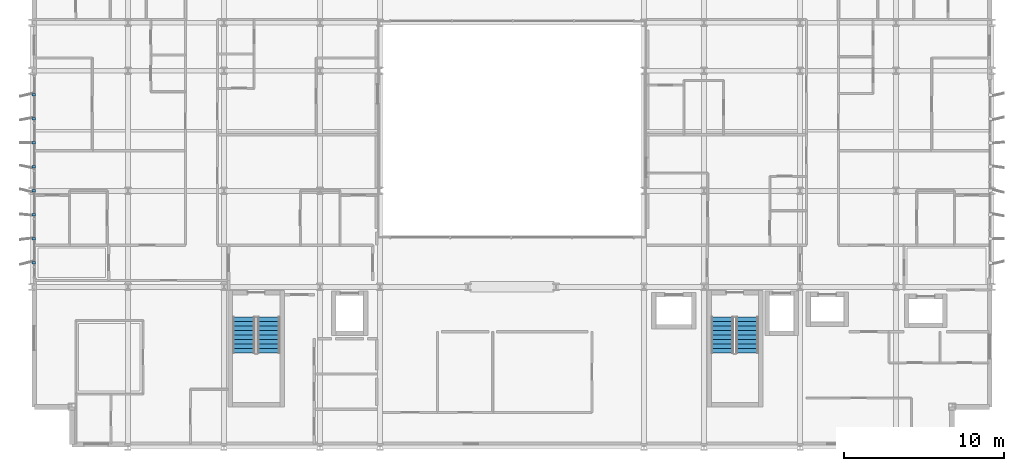
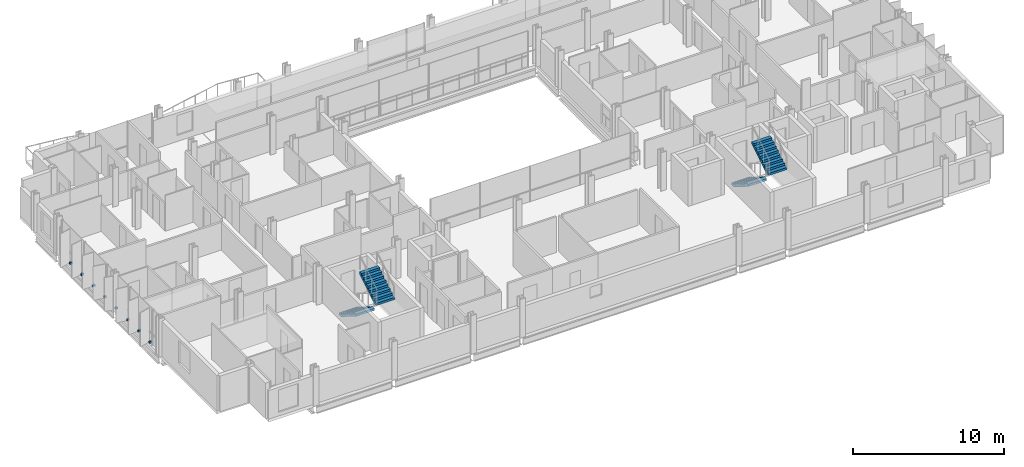
# One storey, part 33 of 38: 8 discrete accessories, 4 stair flights, 2 elements without a shape of their own.
"""IFC4 building model written with IfcOpenShell, lengths in metres."""

from ifc_helpers import new_model, si_unit, direction, frame, origin, origin_2d, place, context, subcontext, project, spatial, polyline, rectangle, outline, extrude, material, layer, layer_set, type_object, element, aggregate, save


model = new_model("IFC4")

# Units and contexts
model_context = context("Model", 3, precision=1e-05, world=origin(), true_north=direction((0.0, 1.0)))
body_context = subcontext(model_context, "Body", "Model", "MODEL_VIEW")
ifc_project = project(units=[si_unit("LENGTHUNIT", "METRE"), si_unit("AREAUNIT", "SQUARE_METRE"), si_unit("VOLUMEUNIT", "CUBIC_METRE"), si_unit("PLANEANGLEUNIT", "RADIAN"), si_unit("MASSUNIT", "GRAM", prefix="KILO")], contexts=[model_context])

# Site, building, storey
site_placement = place(None, origin())
site = spatial("IfcSite", under=ifc_project, at=site_placement, CompositionType="ELEMENT")
building_placement = place(site_placement, origin())
building = spatial("IfcBuilding", under=site, at=building_placement, Name="Brevholm Reach", CompositionType="ELEMENT")
storey_placement = place(building_placement, frame((0.0, 0.0, 52.800048828125)))
storey = spatial("IfcBuildingStorey", under=building, at=storey_placement, Name="L14", CompositionType="ELEMENT", Elevation=52.800048828125)

# Stair, stair flights
ifc_material_1 = material(Name="Precast Concrete C40/50", Category="concrete")
stair_type = type_object("IfcStairType", Name="STR-ESC-1400", PredefinedType="DOUBLE_RETURN_STAIR", material=ifc_material_1)
stair_1_placement = place(storey_placement, origin())
stair_1 = element("IfcStair", 1, at=stair_1_placement, inside=storey, type_object=stair_type, Name="L14 ST-1", PredefinedType="DOUBLE_RETURN_STAIR")
ifc_material_2 = material(Name="Precast Concrete C40/50", Category="concrete")
ifc_layer = layer(ifc_material_2, 0.18505859375)
ifc_layer_set = layer_set([ifc_layer], Name="Precast Concrete C40/50")
stair_flight_type = type_object("IfcStairFlightType", Name="STF-PRC-185", PredefinedType="STRAIGHT", material=ifc_layer_set)
stair_flight_1_placement = place(storey_placement, frame((13.25, 8.10009765625, 0.0), z_axis=(0.0, 0.0, 1.0), x_axis=(0.0, -1.0, 0.0)))
stair_flight_1 = element("IfcStairFlight", 2, at=stair_flight_1_placement, type_object=stair_flight_type, Name="ST-1 flight 1", NumberOfRisers=9, NumberOfTreads=8, PredefinedType="STRAIGHT", RiserHeight=0.172222222, TreadLength=0.28, context=body_context, shape_type="SweptSolid", body=[
    extrude(outline(polyline([(0.0, 0.0), (0.0, 0.172119140625), (0.280029296875, 0.172119140625), (0.280029296875, 0.344482421875), (0.56005859375, 0.344482421875), (0.56005859375, 0.5166015625), (0.840087890625, 0.5166015625), (0.840087890625, 0.68896484375), (1.1201171875, 0.68896484375), (1.1201171875, 0.861083984375), (1.39990234375, 0.861083984375), (1.39990234375, 1.033447265625), (1.679931640625, 1.033447265625), (1.679931640625, 1.20556640625), (1.9599609375, 1.20556640625), (1.9599609375, 1.377685546875), (2.239990234375, 1.377685546875), (2.239990234375, 1.550048828125), (2.239990234375, 1.201904296875), (0.2861328125, 0.0), (0.0, 0.0)])), frame((0.0, 0.699951171875, 0.0), z_axis=(0.0, -1.0, 0.0), x_axis=(1.0, 0.0, 0.0)), (0.0, 0.0, 1.0), 1.39990234375),
])
stair_flight_2_placement = place(storey_placement, frame((14.800048828125, 5.860107421875, 1.550048828125), z_axis=(0.0, 0.0, 1.0), x_axis=(0.0, 1.0, 0.0)))
stair_flight_2 = element("IfcStairFlight", 3, at=stair_flight_2_placement, type_object=stair_flight_type, Name="ST-1 flight 2", NumberOfRisers=9, NumberOfTreads=8, PredefinedType="STRAIGHT", RiserHeight=0.172222222, TreadLength=0.28, context=body_context, shape_type="SweptSolid", body=[
    extrude(outline(polyline([(0.0, 0.0), (0.0, 0.172119140625), (0.280029296875, 0.172119140625), (0.280029296875, 0.344482421875), (0.56005859375, 0.344482421875), (0.56005859375, 0.5166015625), (0.840087890625, 0.5166015625), (0.840087890625, 0.68896484375), (1.1201171875, 0.68896484375), (1.1201171875, 0.861083984375), (1.39990234375, 0.861083984375), (1.39990234375, 1.033447265625), (1.679931640625, 1.033447265625), (1.679931640625, 1.20556640625), (1.9599609375, 1.20556640625), (1.9599609375, 1.377685546875), (2.239990234375, 1.377685546875), (2.239990234375, 1.550048828125), (2.239990234375, 1.201904296875), (0.2861328125, 0.0), (0.0, 0.0)])), frame((0.0, 0.699951171875, 0.0), z_axis=(0.0, -1.0, 0.0), x_axis=(1.0, 0.0, 0.0)), (0.0, 0.0, 1.0), 1.39990234375),
])
aggregate(stair_1, [stair_flight_1, stair_flight_2])

stair_2_placement = place(storey_placement, origin())
stair_2 = element("IfcStair", 4, at=stair_2_placement, inside=storey, type_object=stair_type, Name="L14 ST-2", PredefinedType="DOUBLE_RETURN_STAIR")
stair_flight_3_placement = place(storey_placement, frame((43.14990234375, 8.10009765625, 0.0), z_axis=(0.0, 0.0, 1.0), x_axis=(0.0, -1.0, 0.0)))
stair_flight_3 = element("IfcStairFlight", 5, at=stair_flight_3_placement, type_object=stair_flight_type, Name="ST-2 flight 1", NumberOfRisers=9, NumberOfTreads=8, PredefinedType="STRAIGHT", RiserHeight=0.172222222, TreadLength=0.28, context=body_context, shape_type="SweptSolid", body=[
    extrude(outline(polyline([(0.0, 0.0), (0.0, 0.172119140625), (0.280029296875, 0.172119140625), (0.280029296875, 0.344482421875), (0.56005859375, 0.344482421875), (0.56005859375, 0.5166015625), (0.840087890625, 0.5166015625), (0.840087890625, 0.68896484375), (1.1201171875, 0.68896484375), (1.1201171875, 0.861083984375), (1.39990234375, 0.861083984375), (1.39990234375, 1.033447265625), (1.679931640625, 1.033447265625), (1.679931640625, 1.20556640625), (1.9599609375, 1.20556640625), (1.9599609375, 1.377685546875), (2.239990234375, 1.377685546875), (2.239990234375, 1.550048828125), (2.239990234375, 1.201904296875), (0.2861328125, 0.0), (0.0, 0.0)])), frame((0.0, 0.699951171875, 0.0), z_axis=(0.0, -1.0, 0.0), x_axis=(1.0, 0.0, 0.0)), (0.0, 0.0, 1.0), 1.39990234375),
])
stair_flight_4_placement = place(storey_placement, frame((44.699951171875, 5.860107421875, 1.550048828125), z_axis=(0.0, 0.0, 1.0), x_axis=(0.0, 1.0, 0.0)))
stair_flight_4 = element("IfcStairFlight", 6, at=stair_flight_4_placement, type_object=stair_flight_type, Name="ST-2 flight 2", NumberOfRisers=9, NumberOfTreads=8, PredefinedType="STRAIGHT", RiserHeight=0.172222222, TreadLength=0.28, context=body_context, shape_type="SweptSolid", body=[
    extrude(outline(polyline([(0.0, 0.0), (0.0, 0.172119140625), (0.280029296875, 0.172119140625), (0.280029296875, 0.344482421875), (0.56005859375, 0.344482421875), (0.56005859375, 0.5166015625), (0.840087890625, 0.5166015625), (0.840087890625, 0.68896484375), (1.1201171875, 0.68896484375), (1.1201171875, 0.861083984375), (1.39990234375, 0.861083984375), (1.39990234375, 1.033447265625), (1.679931640625, 1.033447265625), (1.679931640625, 1.20556640625), (1.9599609375, 1.20556640625), (1.9599609375, 1.377685546875), (2.239990234375, 1.377685546875), (2.239990234375, 1.550048828125), (2.239990234375, 1.201904296875), (0.2861328125, 0.0), (0.0, 0.0)])), frame((0.0, 0.699951171875, 0.0), z_axis=(0.0, -1.0, 0.0), x_axis=(1.0, 0.0, 0.0)), (0.0, 0.0, 1.0), 1.39990234375),
])
aggregate(stair_2, [stair_flight_3, stair_flight_4])

# Discrete accessories
ifc_material_3 = material(Name="Duplex Stainless Steel EN 1.4462", Category="steel")
discrete_accessory_type = type_object("IfcDiscreteAccessoryType", Name="ACC-BRK-01", PredefinedType="BRACKET", material=ifc_material_3)
for number, where, z_axis, x_axis, name in (
    (7, (0.1201171875, 11.5, 0.02978515625), (0.0, 0.0, 1.0), (-1.0, 0.0, 0.0), "L14 Solar Screen Support Bracket 1"),
    (8, (0.1201171875, 13.0, 0.02978515625), (0.0, 0.0, 1.0), (-1.0, 0.0, 0.0), "L14 Solar Screen Support Bracket 2"),
    (9, (0.1201171875, 14.5, 0.02978515625), (0.0, 0.0, 1.0), (-1.0, 0.0, 0.0), "L14 Solar Screen Support Bracket 3"),
    (10, (0.1201171875, 16.0, 0.02978515625), (0.0, 0.0, 1.0), (-1.0, 0.0, 0.0), "L14 Solar Screen Support Bracket 4"),
    (11, (0.1201171875, 17.5, 0.02978515625), (0.0, 0.0, 1.0), (-1.0, 0.0, 0.0), "L14 Solar Screen Support Bracket 5"),
    (12, (0.1201171875, 19.0, 0.02978515625), (0.0, 0.0, 1.0), (-1.0, 0.0, 0.0), "L14 Solar Screen Support Bracket 6"),
    (13, (0.1201171875, 20.5, 0.02978515625), (0.0, 0.0, 1.0), (-1.0, 0.0, 0.0), "L14 Solar Screen Support Bracket 7"),
    (14, (0.1201171875, 22.0, 0.02978515625), (0.0, 0.0, 1.0), (-1.0, 0.0, 0.0), "L14 Solar Screen Support Bracket 8"),
):
    element("IfcDiscreteAccessory", number, at=place(storey_placement, frame(where, z_axis=z_axis, x_axis=x_axis)), inside=storey, type_object=discrete_accessory_type, Name=name, PredefinedType="BRACKET", context=body_context, shape_type="SweptSolid", body=[
        extrude(rectangle(XDim=0.199951171875, YDim=0.139892578125, at=origin_2d()), origin(), (0.0, 0.0, 1.0), 0.139892578125),
    ])

save(model, "model.ifc")
